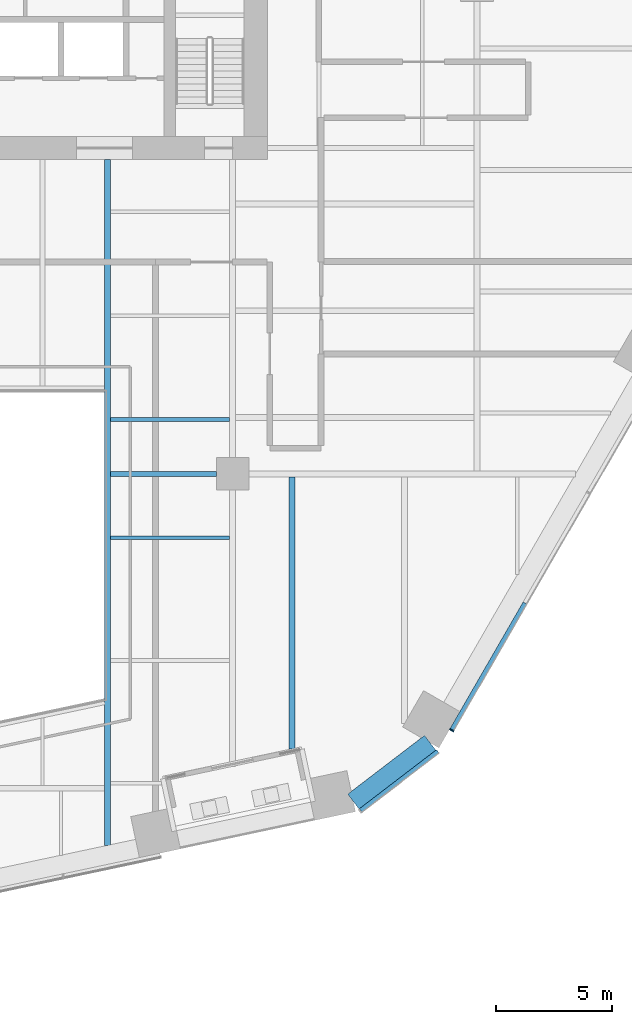
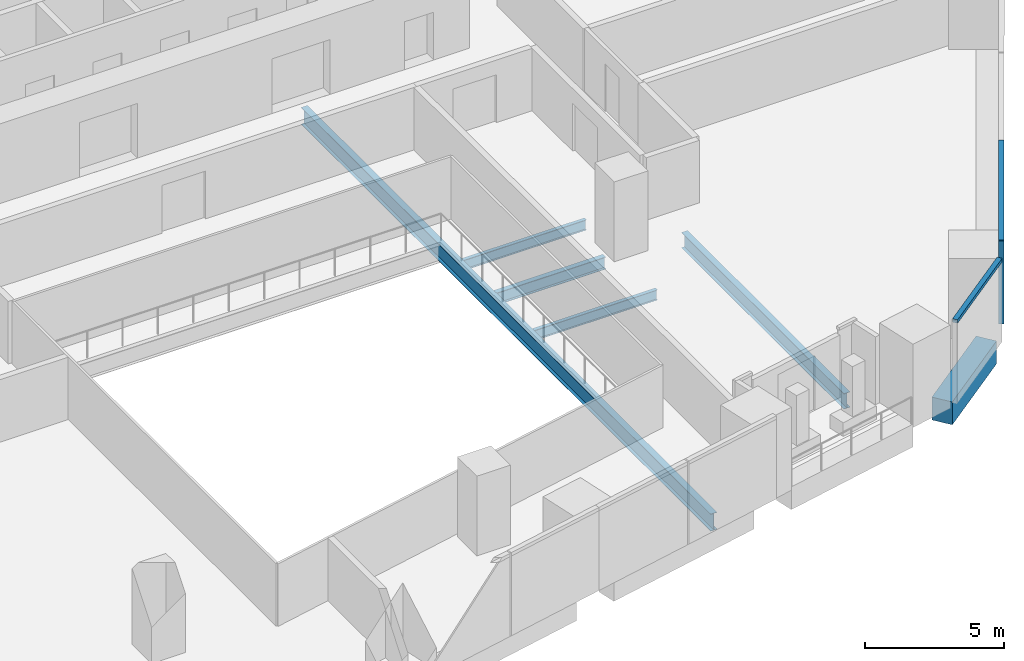
# One storey, part 6 of 31: 6 beams, 3 members, 2 elements without a shape of their own.
"""IFC4 building model written with IfcOpenShell, lengths in metres."""

from ifc_helpers import new_model, si_unit, direction, frame, origin, origin_2d, place, context, subcontext, project, spatial, rectangle, i_section, extrude, material, layer, layer_set, material_profile, profile_set, type_object, element, aggregate, save


model = new_model("IFC4")

# Units and contexts
model_context = context("Model", 3, precision=1e-05, world=origin(), true_north=direction((0.0, 1.0)))
body_context = subcontext(model_context, "Body", "Model", "MODEL_VIEW")
ifc_project = project(units=[si_unit("LENGTHUNIT", "METRE"), si_unit("AREAUNIT", "SQUARE_METRE"), si_unit("VOLUMEUNIT", "CUBIC_METRE"), si_unit("PLANEANGLEUNIT", "RADIAN"), si_unit("MASSUNIT", "GRAM", prefix="KILO")], contexts=[model_context])

# Site, building, storey
site_placement = place(None, origin())
site = spatial("IfcSite", under=ifc_project, at=site_placement, CompositionType="ELEMENT")
building_placement = place(site_placement, origin())
building = spatial("IfcBuilding", under=site, at=building_placement, Name="Isthmus Gate Tower", CompositionType="ELEMENT")
storey_placement = place(building_placement, frame((0.0, 0.0, 54.25)))
storey = spatial("IfcBuildingStorey", under=building, at=storey_placement, Name="L11", CompositionType="ELEMENT", Elevation=54.25)

# Curtain wall, member
ifc_material_1 = material(Name="Aluminium, pale champagne anodised", Category="aluminium")
ifc_layer = layer(ifc_material_1, 0.199951171875)
ifc_layer_set = layer_set([ifc_layer], Name="CW-1 UNITISED CURTAIN WALL 200 DEEP")
curtain_wall_type = type_object("IfcCurtainWallType", Name="CW-1 UNITISED CURTAIN WALL 200 DEEP", PredefinedType="NOTDEFINED", material=ifc_layer_set)
curtain_wall_1_placement = place(storey_placement, origin())
curtain_wall_1 = element("IfcCurtainWall", 1, at=curtain_wall_1_placement, inside=storey, type_object=curtain_wall_type, Name="CW-1 SE L11", PredefinedType="NOTDEFINED")
ifc_material_2 = material(Name="Aluminium, pale champagne anodised", Category="aluminium")
ifc_material_profile_1 = material_profile(ifc_material_2, rectangle(XDim=0.06005859375, YDim=0.199951171875, at=origin_2d()), Name="60x200")
ifc_profile_set_1 = profile_set([ifc_material_profile_1], Name="Aluminium, pale champagne anodised")
member_type_1 = type_object("IfcMemberType", Name="CW-1 MULLION 60 X 200", PredefinedType="MULLION", material=ifc_profile_set_1)
member_1_placement = place(storey_placement, frame((22.91357421875, -24.5126953125, 0.0), z_axis=(0.0, 0.0, 1.0), x_axis=(0.5, 0.866025403784, 0.0)))
member_1 = element("IfcMember", 2, at=member_1_placement, type_object=member_type_1, Name="CW-1 mullion", PredefinedType="MULLION", context=body_context, shape_type="SweptSolid", body=[
    extrude(rectangle(XDim=0.06005859375, YDim=0.199951171875, at=origin_2d()), origin(), (0.0, 0.0, 1.0), 3.64990234375),
])

curtain_wall_2_placement = place(storey_placement, origin())
curtain_wall_2 = element("IfcCurtainWall", 3, at=curtain_wall_2_placement, inside=storey, type_object=curtain_wall_type, Name="CW-1 S-SE L11", PredefinedType="NOTDEFINED")
ifc_material_3 = material(Name="Aluminium, pale champagne anodised", Category="aluminium")
ifc_material_profile_2 = material_profile(ifc_material_3, rectangle(XDim=0.199951171875, YDim=0.14990234375, at=origin_2d()), Name="200x150")
ifc_profile_set_2 = profile_set([ifc_material_profile_2], Name="Aluminium, pale champagne anodised")
member_type_2 = type_object("IfcMemberType", Name="CW-1 TRANSOM 200 X 150", PredefinedType="USERDEFINED", material=ifc_profile_set_2)
member_2_placement = place(storey_placement, frame((19.002685546875, -27.96435546875, 3.574951171875), z_axis=(0.794175498212, 0.607688471209, 0.0), x_axis=(-0.607688471209, 0.794175498212, 0.0)))
member_2 = element("IfcMember", 4, at=member_2_placement, type_object=member_type_2, Name="CW-1 transom", ObjectType="TRANSOM", PredefinedType="USERDEFINED", context=body_context, shape_type="SweptSolid", body=[
    extrude(rectangle(XDim=0.199951171875, YDim=0.14990234375, at=origin_2d()), origin(), (0.0, 0.0, 1.0), 4.181396484375),
])
aggregate(curtain_wall_2, [member_2])

# Member
member_3_placement = place(storey_placement, frame((22.928466796875, -24.486572265625, 3.574951171875), z_axis=(0.50002426866, 0.866011391814, 0.0), x_axis=(-0.866011391814, 0.50002426866, 0.0)))
member_3 = element("IfcMember", 5, at=member_3_placement, type_object=member_type_2, Name="CW-1 transom", ObjectType="TRANSOM", PredefinedType="USERDEFINED", context=body_context, shape_type="SweptSolid", body=[
    extrude(rectangle(XDim=0.199951171875, YDim=0.14990234375, at=origin_2d()), origin(), (0.0, 0.0, 1.0), 6.278564453125),
])

aggregate(curtain_wall_1, [member_1, member_3])

# Beams
ifc_material_4 = material(Name="Concrete f'c 70 MPa", Category="concrete")
ifc_material_profile_3 = material_profile(ifc_material_4, rectangle(XDim=0.800048828125, YDim=1.0, at=origin_2d()), Name="RC 800X1000")
ifc_profile_set_3 = profile_set([ifc_material_profile_3], Name="Concrete f'c 70 MPa")
beam_type_1 = type_object("IfcBeamType", Name="RC SPANDREL 800 X 1000", PredefinedType="SPANDREL", material=ifc_profile_set_3)
beam_1_placement = place(storey_placement, frame((21.98681640625, -25.051513671875, -0.5), z_axis=(-0.794205941875, -0.607648682949, 0.0), x_axis=(0.607648682949, -0.794205941875, 0.0)))
element("IfcBeam", 6, at=beam_1_placement, inside=storey, type_object=beam_type_1, Name="str-spandrel-L11-09", PredefinedType="SPANDREL", context=body_context, shape_type="SweptSolid", body=[
    extrude(rectangle(XDim=0.800048828125, YDim=1.0, at=origin_2d()), origin(), (0.0, 0.0, 1.0), 4.15234375),
])
ifc_material_5 = material(Name="Structural steel ASTM A992 Gr 50", Category="steel")
ifc_material_profile_4 = material_profile(ifc_material_5, i_section(OverallWidth=0.15234375, OverallDepth=0.45068359375, WebThickness=0.0078125, FlangeThickness=0.010986328125, at=origin_2d()), Name="W18X35")
ifc_profile_set_4 = profile_set([ifc_material_profile_4], Name="Structural steel ASTM A992 Gr 50")
beam_type_2 = type_object("IfcBeamType", Name="STEEL FLOOR BEAM W18X35", PredefinedType="JOIST", material=ifc_profile_set_4)
beam_2_placement = place(storey_placement, frame((8.263427734375, -16.241455078125, -0.37548828125), z_axis=(1.0, 0.0, 0.0), x_axis=(0.0, 1.0, 0.0)))
element("IfcBeam", 7, at=beam_2_placement, inside=storey, type_object=beam_type_2, Name="str-beam-L11-25-02", PredefinedType="JOIST", context=body_context, shape_type="SweptSolid", body=[
    extrude(i_section(OverallWidth=0.15234375, OverallDepth=0.45068359375, WebThickness=0.0078125, FlangeThickness=0.010986328125, at=origin_2d()), origin(), (0.0, 0.0, 1.0), 5.109619140625),
])
beam_3_placement = place(storey_placement, frame((8.263427734375, -11.16259765625, -0.37548828125), z_axis=(1.0, 0.0, 0.0), x_axis=(0.0, 1.0, 0.0)))
element("IfcBeam", 8, at=beam_3_placement, inside=storey, type_object=beam_type_2, Name="str-beam-L11-26-00", PredefinedType="JOIST", context=body_context, shape_type="SweptSolid", body=[
    extrude(i_section(OverallWidth=0.15234375, OverallDepth=0.45068359375, WebThickness=0.0078125, FlangeThickness=0.010986328125, at=origin_2d()), origin(), (0.0, 0.0, 1.0), 5.104736328125),
])
ifc_material_6 = material(Name="Structural steel ASTM A992 Gr 50", Category="steel")
ifc_material_profile_5 = material_profile(ifc_material_6, i_section(OverallWidth=0.25390625, OverallDepth=0.679443359375, WebThickness=0.010986328125, FlangeThickness=0.015869140625, at=origin_2d()), Name="W27X84")
ifc_profile_set_5 = profile_set([ifc_material_profile_5], Name="Structural steel ASTM A992 Gr 50")
beam_type_3 = type_object("IfcBeamType", Name="STEEL FLOOR BEAM W27X84", PredefinedType="JOIST", material=ifc_profile_set_5)
beam_4_placement = place(storey_placement, frame((16.04833984375, -25.3076171875, -0.48974609375), z_axis=(0.0, 1.0, 0.0), x_axis=(-1.0, 0.0, 0.0)))
element("IfcBeam", 9, at=beam_4_placement, inside=storey, type_object=beam_type_3, Name="str-beam-L11-33-00", PredefinedType="JOIST", context=body_context, shape_type="SweptSolid", body=[
    extrude(i_section(OverallWidth=0.25390625, OverallDepth=0.679443359375, WebThickness=0.010986328125, FlangeThickness=0.015869140625, at=origin_2d()), origin(), (0.0, 0.0, 1.0), 11.67431640625),
])
ifc_material_7 = material(Name="Structural steel ASTM A992 Gr 50", Category="steel")
ifc_material_profile_6 = material_profile(ifc_material_7, i_section(OverallWidth=0.20947265625, OverallDepth=0.533447265625, WebThickness=0.009521484375, FlangeThickness=0.015869140625, at=origin_2d()), Name="W21X62")
ifc_profile_set_6 = profile_set([ifc_material_profile_6], Name="Structural steel ASTM A992 Gr 50")
beam_type_4 = type_object("IfcBeamType", Name="STEEL GIRDER W21X62", PredefinedType="BEAM", material=ifc_profile_set_6)
beam_5_placement = place(storey_placement, frame((8.263427734375, -13.5, -0.416748046875), z_axis=(1.0, 0.0, 0.0), x_axis=(0.0, 1.0, 0.0)))
element("IfcBeam", 10, at=beam_5_placement, inside=storey, type_object=beam_type_4, Name="str-girder-L11-07", PredefinedType="BEAM", context=body_context, shape_type="SweptSolid", body=[
    extrude(i_section(OverallWidth=0.20947265625, OverallDepth=0.533447265625, WebThickness=0.009521484375, FlangeThickness=0.015869140625, at=origin_2d()), origin(), (0.0, 0.0, 1.0), 4.53662109375),
])
ifc_material_8 = material(Name="Structural steel ASTM A992 Gr 50", Category="steel")
ifc_material_profile_7 = material_profile(ifc_material_8, i_section(OverallWidth=0.263427734375, OverallDepth=0.749267578125, WebThickness=0.0126953125, FlangeThickness=0.015869140625, at=origin_2d()), Name="W30X90")
ifc_profile_set_7 = profile_set([ifc_material_profile_7], Name="Structural steel ASTM A992 Gr 50")
beam_type_5 = type_object("IfcBeamType", Name="STEEL TRIMMER W30X90", PredefinedType="BEAM", material=ifc_profile_set_7)
beam_6_placement = place(storey_placement, frame((8.1318359375, -29.45361328125, -0.524658203125), z_axis=(0.0, 1.0, 0.0), x_axis=(-1.0, 0.0, 0.0)))
element("IfcBeam", 11, at=beam_6_placement, inside=storey, type_object=beam_type_5, Name="str-trimmer-L11-01", PredefinedType="BEAM", context=body_context, shape_type="SweptSolid", body=[
    extrude(i_section(OverallWidth=0.263427734375, OverallDepth=0.749267578125, WebThickness=0.0126953125, FlangeThickness=0.015869140625, at=origin_2d()), origin(), (0.0, 0.0, 1.0), 29.45361328125),
])

save(model, "model.ifc")
